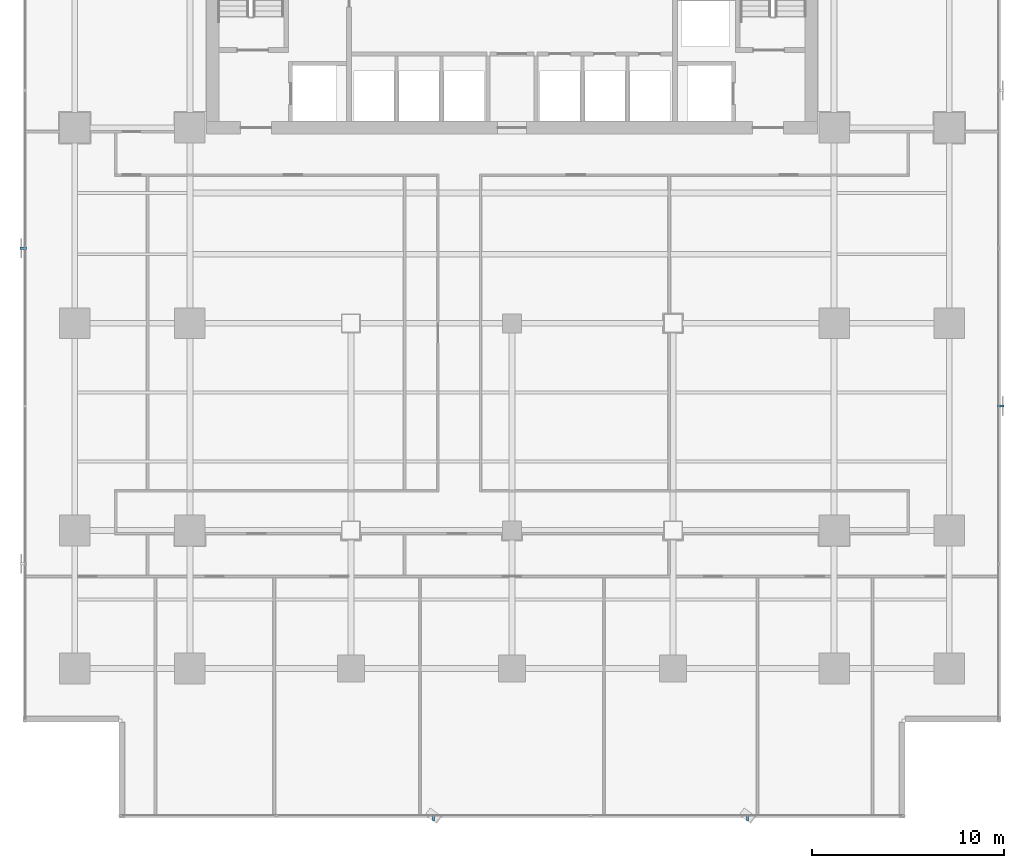
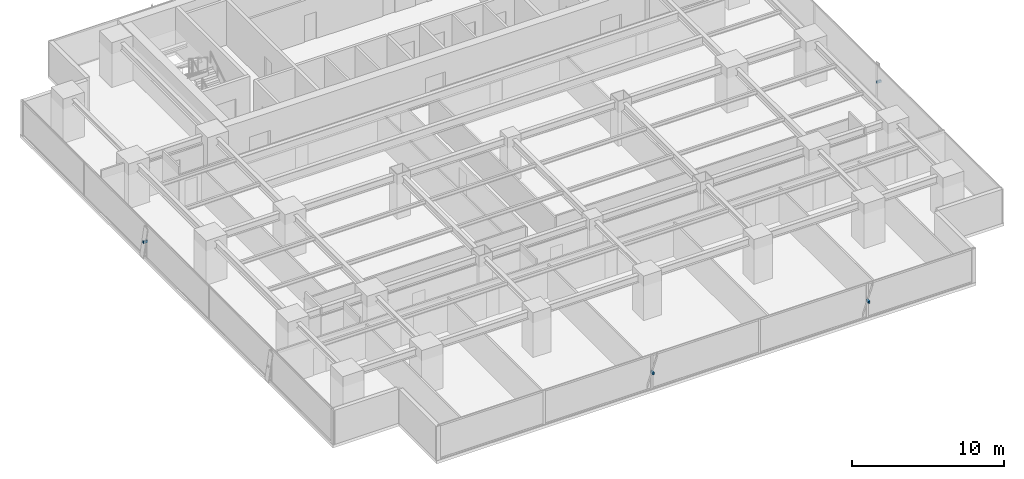
# One storey, part 31 of 37: 4 discrete accessories.
"""IFC4 building model written with IfcOpenShell, lengths in metres."""

from ifc_helpers import new_model, si_unit, direction, frame, origin, origin_2d, place, context, subcontext, project, spatial, rectangle, extrude, source, transform, mapped, material, material_profile, profile_set, type_object, element, save


model = new_model("IFC4")

# Units and contexts
model_context = context("Model", 3, precision=1e-05, world=origin(), true_north=direction((0.0, 1.0)))
body_context = subcontext(model_context, "Body", "Model", "MODEL_VIEW")
ifc_project = project(units=[si_unit("LENGTHUNIT", "METRE"), si_unit("AREAUNIT", "SQUARE_METRE"), si_unit("VOLUMEUNIT", "CUBIC_METRE"), si_unit("PLANEANGLEUNIT", "RADIAN"), si_unit("MASSUNIT", "GRAM", prefix="KILO")], contexts=[model_context])

# Site, building, storey
site_placement = place(None, origin())
site = spatial("IfcSite", under=ifc_project, at=site_placement, CompositionType="ELEMENT")
building_placement = place(site_placement, origin())
building = spatial("IfcBuilding", under=site, at=building_placement, Name="Sumidabori Civic Tower", CompositionType="ELEMENT")
storey_placement = place(building_placement, frame((0.0, 0.0, 81.199951171875)))
storey = spatial("IfcBuildingStorey", under=building, at=storey_placement, Name="L20", CompositionType="ELEMENT", Elevation=81.199951171875)

# Discrete accessories
ifc_material = material(Name="Stainless Steel Hairline Finish", Category="steel")
ifc_material_profile = material_profile(ifc_material, rectangle(XDim=0.1201171875, YDim=0.179931640625, at=origin_2d()), Name="STEEL BRACKET 180x120")
ifc_profile_set = profile_set([ifc_material_profile], Name="Stainless Steel Hairline Finish")
discrete_accessory_type = type_object("IfcDiscreteAccessoryType", Name="AC-BRK-180", PredefinedType="BRACKET", material=ifc_profile_set)
shared_shape_1 = source(origin(), body_context, "Body", "SweptSolid", [
    extrude(rectangle(XDim=0.1201171875, YDim=0.179931640625, at=origin_2d()), origin(), (0.0, 0.0, 1.0), 0.329833984375),
])
for number, where, z_axis, x_axis, name in (
    (1, (25.330078125, -4.31396484375, 1.360107421875), (1.0, 0.0, 0.0), (0.0, 1.0, 0.0), "Bronze Fin Fixing Bracket L20-02"),
    (2, (-25.330078125, 3.9140625, 1.360107421875), (-1.0, 0.0, 0.0), (0.0, -1.0, 0.0), "Bronze Fin Fixing Bracket L20-02"),
):
    element("IfcDiscreteAccessory", number, at=place(storey_placement, frame(where, z_axis=z_axis, x_axis=x_axis)), inside=storey, type_object=discrete_accessory_type, Name=name, PredefinedType="BRACKET", context=body_context, shape_type="MappedRepresentation", body=[
        mapped(shared_shape_1, transform((0.0, 0.0, 0.0), x_axis=(1.0, 0.0, 0.0), y_axis=(0.0, 1.0, 0.0), z_axis=(0.0, 0.0, 1.0), scale=1.0)),
    ])
shared_shape_2 = source(origin(), body_context, "Body", "SweptSolid", [
    extrude(rectangle(XDim=0.1201171875, YDim=0.179931640625, at=origin_2d()), origin(), (0.0, 0.0, 1.0), 0.330078125),
])
for number, where, z_axis, x_axis, name in (
    (3, (-4.093994140625, -25.6298828125, 1.360107421875), (0.0, -1.0, 0.0), (1.0, 0.0, 0.0), "Bronze Fin Fixing Bracket L20-02"),
    (4, (12.281982421875, -25.6298828125, 1.360107421875), (0.0, -1.0, 0.0), (1.0, 0.0, 0.0), "Bronze Fin Fixing Bracket L20-04"),
):
    element("IfcDiscreteAccessory", number, at=place(storey_placement, frame(where, z_axis=z_axis, x_axis=x_axis)), inside=storey, type_object=discrete_accessory_type, Name=name, PredefinedType="BRACKET", context=body_context, shape_type="MappedRepresentation", body=[
        mapped(shared_shape_2, transform((0.0, 0.0, 0.0), x_axis=(1.0, 0.0, 0.0), y_axis=(0.0, 1.0, 0.0), z_axis=(0.0, 0.0, 1.0), scale=1.0)),
    ])

save(model, "model.ifc")
